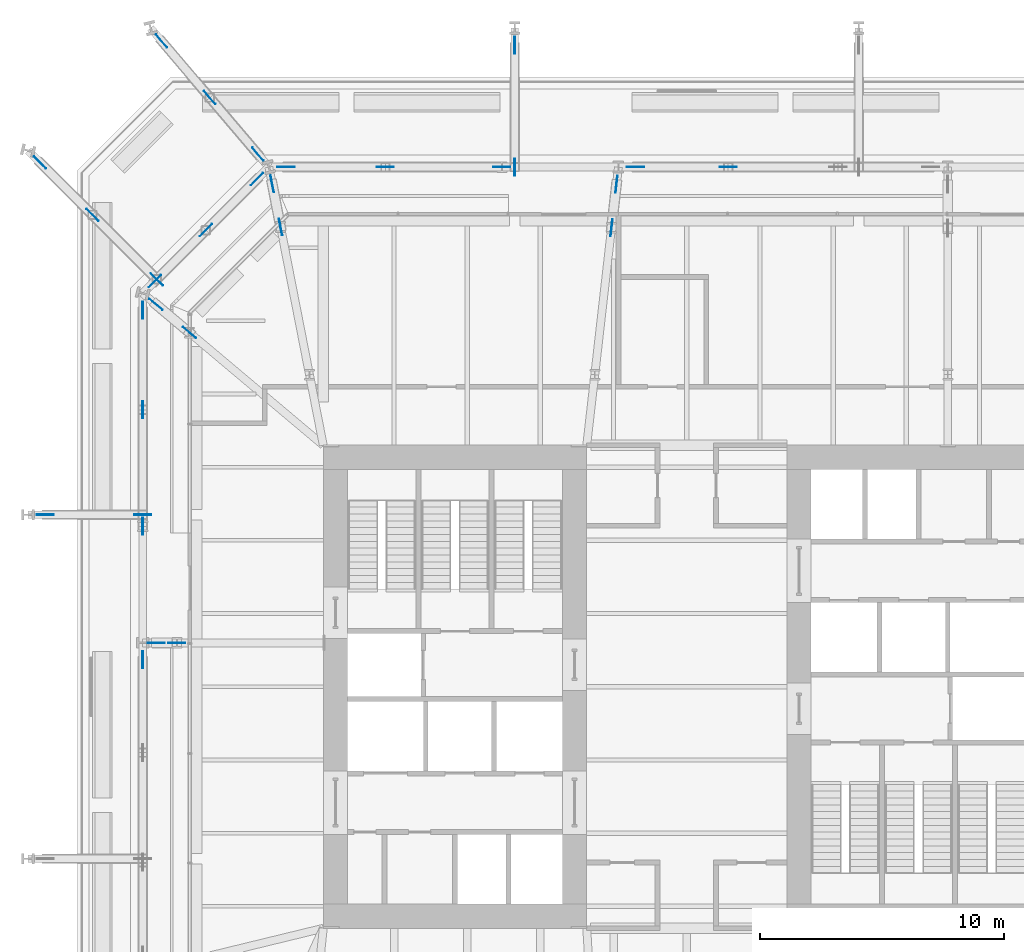
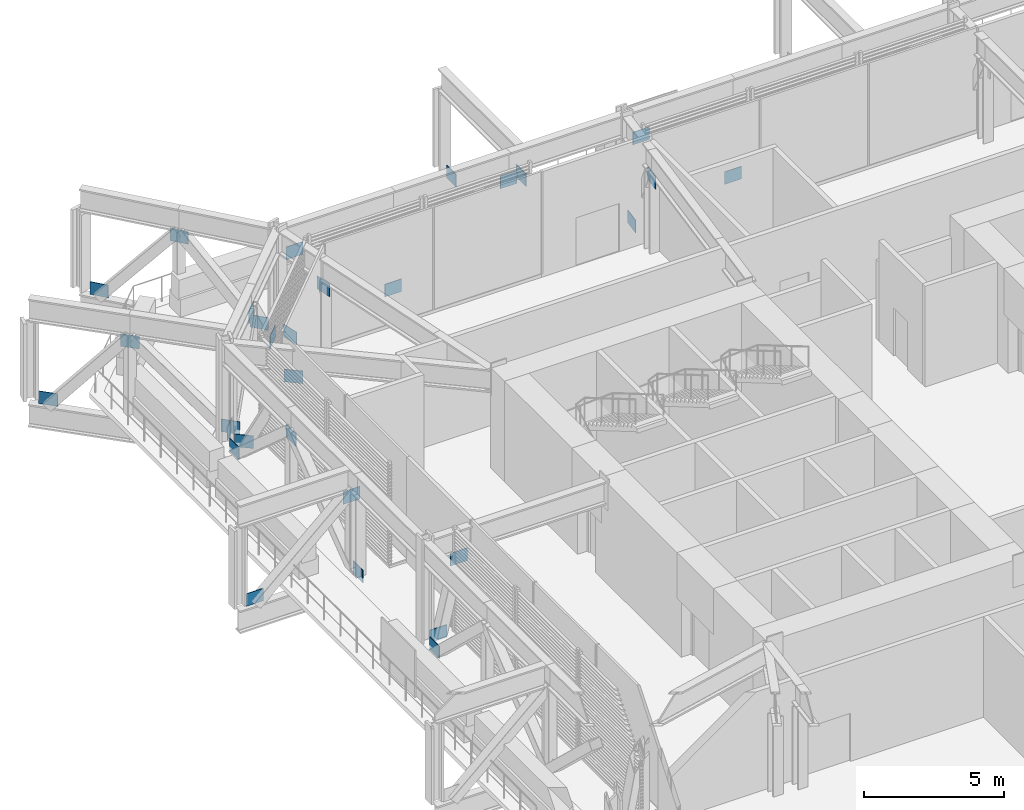
# One storey, part 25 of 29: 30 discrete accessories.
"""IFC4 building model written with IfcOpenShell, lengths in metres."""

from ifc_helpers import new_model, si_unit, direction, frame, origin, origin_2d, place, context, subcontext, project, spatial, rectangle, extrude, material, layer, layer_set, type_object, element, save


model = new_model("IFC4")

# Units and contexts
model_context = context("Model", 3, precision=1e-05, world=origin(), true_north=direction((0.0, 1.0)))
body_context = subcontext(model_context, "Body", "Model", "MODEL_VIEW")
ifc_project = project(units=[si_unit("LENGTHUNIT", "METRE"), si_unit("AREAUNIT", "SQUARE_METRE"), si_unit("VOLUMEUNIT", "CUBIC_METRE"), si_unit("PLANEANGLEUNIT", "RADIAN"), si_unit("MASSUNIT", "GRAM", prefix="KILO")], contexts=[model_context])

# Site, building, storey
site_placement = place(None, origin())
site = spatial("IfcSite", under=ifc_project, at=site_placement, CompositionType="ELEMENT")
building_placement = place(site_placement, origin())
building = spatial("IfcBuilding", under=site, at=building_placement, Name="Millrace Tower", CompositionType="ELEMENT")
storey_placement = place(building_placement, frame((0.0, 0.0, 68.60009765625)))
storey = spatial("IfcBuildingStorey", under=building, at=storey_placement, Name="L15", CompositionType="ELEMENT", Elevation=68.60009765625)

# Discrete accessories
ifc_material = material(Name="Steel ASTM A572 Grade 50", Category="steel")
ifc_layer = layer(ifc_material, 0.02490234375)
ifc_layer_set = layer_set([ifc_layer], Name="Steel ASTM A572 Grade 50")
discrete_accessory_type = type_object("IfcDiscreteAccessoryType", Name="Truss gusset plate 700x550x25", PredefinedType="BRACKET", material=ifc_layer_set)
for number, where, z_axis, x_axis, name in (
    (1, (1.35009765625, 21.300048828125, 0.074951171875), (1.0, 0.0, 0.0), (0.0, 1.0, 0.0), "Truss gusset plate TRS-L15-R11-D02 foot"),
    (2, (-2.449951171875, 21.300048828125, 3.1318359375), (1.0, 0.0, 0.0), (0.0, 1.0, 0.0), "Truss gusset plate TRS-L15-R11-D03 head"),
):
    element("IfcDiscreteAccessory", number, at=place(storey_placement, frame(where, z_axis=z_axis, x_axis=x_axis)), inside=storey, type_object=discrete_accessory_type, Name=name, PredefinedType="BRACKET", context=body_context, shape_type="SweptSolid", body=[
        extrude(rectangle(XDim=0.02490234375, YDim=0.550048828125, at=origin_2d()), origin(), (0.0, 0.0, 1.0), 0.699951171875),
    ])
discrete_accessory_1_placement = place(storey_placement, frame((-12.702392578125, 21.300048828125, 0.074951171875), z_axis=(1.0, 0.0, 0.0), x_axis=(0.0, 1.0, 0.0)))
element("IfcDiscreteAccessory", 3, at=discrete_accessory_1_placement, inside=storey, type_object=discrete_accessory_type, Name="Truss gusset plate TRS-L15-R12-D02 foot", PredefinedType="BRACKET", context=body_context, shape_type="SweptSolid", body=[
    extrude(rectangle(XDim=0.02490234375, YDim=0.550048828125, at=origin_2d()), origin(), (0.0, 0.0, 1.0), 0.7001953125),
])
for number, where, z_axis, x_axis, name in (
    (4, (-7.926025390625, 21.300048828125, 3.1318359375), (1.0, 0.0, 0.0), (0.0, 1.0, 0.0), "Truss gusset plate TRS-L15-R12-D02 head"),
    (5, (-16.7783203125, 21.300048828125, 3.1318359375), (1.0, 0.0, 0.0), (0.0, 1.0, 0.0), "Truss gusset plate TRS-L15-R12-D03 head"),
    (6, (-17.870849609375, 20.5576171875, 0.074951171875), (0.707106781187, 0.707106781187, 0.0), (-0.707106781187, 0.707106781187, 0.0), "Truss gusset plate TRS-L15-R13-D01 foot"),
    (7, (-19.961669921875, 18.466796875, 3.1318359375), (0.707106781187, 0.707106781187, 0.0), (-0.707106781187, 0.707106781187, 0.0), "Truss gusset plate TRS-L15-R13-D01 head"),
    (8, (-22.052490234375, 16.3759765625, 0.074951171875), (0.707106781187, 0.707106781187, 0.0), (-0.707106781187, 0.707106781187, 0.0), "Truss gusset plate TRS-L15-R13-D02 foot"),
    (9, (-22.300048828125, 15.078369140625, 0.074951171875), (0.0, 1.0, 0.0), (-1.0, 0.0, 0.0), "Truss gusset plate TRS-L15-R14-D01 foot"),
):
    element("IfcDiscreteAccessory", number, at=place(storey_placement, frame(where, z_axis=z_axis, x_axis=x_axis)), inside=storey, type_object=discrete_accessory_type, Name=name, PredefinedType="BRACKET", context=body_context, shape_type="SweptSolid", body=[
        extrude(rectangle(XDim=0.02490234375, YDim=0.550048828125, at=origin_2d()), origin(), (0.0, 0.0, 1.0), 0.699951171875),
    ])
discrete_accessory_2_placement = place(storey_placement, frame((-22.300048828125, 11.002197265625, 3.1318359375), z_axis=(0.0, 1.0, 0.0), x_axis=(-1.0, 0.0, 0.0)))
element("IfcDiscreteAccessory", 10, at=discrete_accessory_2_placement, inside=storey, type_object=discrete_accessory_type, Name="Truss gusset plate TRS-L15-R14-D01 head", PredefinedType="BRACKET", context=body_context, shape_type="SweptSolid", body=[
    extrude(rectangle(XDim=0.02490234375, YDim=0.550048828125, at=origin_2d()), origin(), (0.0, 0.0, 1.0), 0.7001953125),
])
for number, where, z_axis, x_axis, name in (
    (11, (-22.300048828125, 6.22607421875, 0.074951171875), (0.0, 1.0, 0.0), (-1.0, 0.0, 0.0), "Truss gusset plate TRS-L15-R14-D02 foot"),
    (12, (-22.300048828125, 0.75, 0.074951171875), (0.0, 1.0, 0.0), (-1.0, 0.0, 0.0), "Truss gusset plate TRS-L15-R15-D01 foot"),
    (13, (-2.9189453125, 20.2568359375, 0.074951171875), (0.113340043286, 0.993556256378, 0.0), (-0.993556256378, 0.113340043286, 0.0), "Truss gusset plate TRS-L15-C12-D01 foot"),
):
    element("IfcDiscreteAccessory", number, at=place(storey_placement, frame(where, z_axis=z_axis, x_axis=x_axis)), inside=storey, type_object=discrete_accessory_type, Name=name, PredefinedType="BRACKET", context=body_context, shape_type="SweptSolid", body=[
        extrude(rectangle(XDim=0.02490234375, YDim=0.550048828125, at=origin_2d()), origin(), (0.0, 0.0, 1.0), 0.699951171875),
    ])
discrete_accessory_3_placement = place(storey_placement, frame((-3.122802734375, 18.468505859375, 3.1318359375), z_axis=(0.113034932822, 0.993591014433, 0.0), x_axis=(-0.993591014433, 0.113034932822, 0.0)))
element("IfcDiscreteAccessory", 14, at=discrete_accessory_3_placement, inside=storey, type_object=discrete_accessory_type, Name="Truss gusset plate TRS-L15-C12-D01 head", PredefinedType="BRACKET", context=body_context, shape_type="SweptSolid", body=[
    extrude(rectangle(XDim=0.02490234375, YDim=0.550048828125, at=origin_2d()), origin(), (0.0, 0.0, 1.0), 0.69970703125),
])
for number, where, z_axis, x_axis, name in (
    (15, (-17.061279296875, 20.95654296875, 0.074951171875), (0.191821741574, -0.981429783255, 0.0), (0.981429783255, 0.191821741574, 0.0), "Truss gusset plate TRS-L15-C13-D01 foot"),
    (16, (-16.716064453125, 19.18994140625, 3.1318359375), (0.191821741574, -0.981429783255, 0.0), (0.981429783255, 0.191821741574, 0.0), "Truss gusset plate TRS-L15-C13-D01 head"),
    (17, (-22.0322265625, 15.903076171875, 0.074951171875), (0.765182451911, -0.643813494179, 0.0), (0.643813494179, 0.765182451911, 0.0), "Truss gusset plate TRS-L15-C14-D01 foot"),
    (18, (-20.655029296875, 14.743896484375, 3.1318359375), (0.765182451911, -0.643813494179, 0.0), (0.643813494179, 0.765182451911, 0.0), "Truss gusset plate TRS-L15-C14-D01 head"),
):
    element("IfcDiscreteAccessory", number, at=place(storey_placement, frame(where, z_axis=z_axis, x_axis=x_axis)), inside=storey, type_object=discrete_accessory_type, Name=name, PredefinedType="BRACKET", context=body_context, shape_type="SweptSolid", body=[
        extrude(rectangle(XDim=0.02490234375, YDim=0.550048828125, at=origin_2d()), origin(), (0.0, 0.0, 1.0), 0.699951171875),
    ])
discrete_accessory_4_placement = place(storey_placement, frame((-22.090087890625, 1.800048828125, 0.074951171875), z_axis=(1.0, 0.0, 0.0), x_axis=(0.0, 1.0, 0.0)))
element("IfcDiscreteAccessory", 19, at=discrete_accessory_4_placement, inside=storey, type_object=discrete_accessory_type, Name="Truss gusset plate TRS-L15-C15-D01 foot", PredefinedType="BRACKET", context=body_context, shape_type="SweptSolid", body=[
    extrude(rectangle(XDim=0.02490234375, YDim=0.550048828125, at=origin_2d()), origin(), (0.0, 0.0, 1.0), 0.7001953125),
])
for number, where, z_axis, x_axis, name in (
    (20, (-21.25, 1.800048828125, 3.1318359375), (1.0, 0.0, 0.0), (0.0, 1.0, 0.0), "Truss gusset plate TRS-L15-C15-D01 head"),
    (21, (-7.050048828125, 25.949951171875, 0.074951171875), (0.0, 1.0, 0.0), (-1.0, 0.0, 0.0), "Truss gusset plate TRS-L15-B-A-X12-D01 foot"),
    (22, (-7.050048828125, 20.949951171875, 3.1318359375), (0.0, 1.0, 0.0), (-1.0, 0.0, 0.0), "Truss gusset plate TRS-L15-B-A-X12-D01 head"),
    (23, (-21.751708984375, 26.7333984375, 0.074951171875), (0.647972306715, -0.761663895514, 0.0), (0.761663895514, 0.647972306715, 0.0), "Truss gusset plate TRS-L15-B-A-X13-D01 foot"),
    (24, (-19.7802734375, 24.41650390625, 3.1318359375), (0.647972306715, -0.761663895514, 0.0), (0.761663895514, 0.647972306715, 0.0), "Truss gusset plate TRS-L15-B-A-X13-D01 head"),
    (25, (-17.808837890625, 22.099609375, 0.074951171875), (0.648144455577, -0.761517409325, 0.0), (0.761517409325, 0.648144455577, 0.0), "Truss gusset plate TRS-L15-B-A-X13-D02 foot"),
    (26, (-26.75244140625, 21.73095703125, 0.074951171875), (0.707106781187, -0.707106781187, 0.0), (0.707106781187, 0.707106781187, 0.0), "Truss gusset plate TRS-L15-B-A-X14-D01 foot"),
    (27, (-24.610107421875, 19.58837890625, 3.1318359375), (0.707281138664, -0.706932380706, 0.0), (0.706932380706, 0.707281138664, 0.0), "Truss gusset plate TRS-L15-B-A-X14-D01 head"),
    (28, (-21.972412109375, 16.950927734375, 0.074951171875), (0.706932380706, -0.707281138664, 0.0), (0.707281138664, 0.706932380706, 0.0), "Truss gusset plate TRS-L15-B-A-X14-D02 foot"),
    (29, (-26.64990234375, 7.050048828125, 0.074951171875), (1.0, 0.0, 0.0), (0.0, 1.0, 0.0), "Truss gusset plate TRS-L15-B-A-X15-D01 foot"),
    (30, (-22.64990234375, 7.050048828125, 3.1318359375), (1.0, 0.0, 0.0), (0.0, 1.0, 0.0), "Truss gusset plate TRS-L15-B-A-X15-D01 head"),
):
    element("IfcDiscreteAccessory", number, at=place(storey_placement, frame(where, z_axis=z_axis, x_axis=x_axis)), inside=storey, type_object=discrete_accessory_type, Name=name, PredefinedType="BRACKET", context=body_context, shape_type="SweptSolid", body=[
        extrude(rectangle(XDim=0.02490234375, YDim=0.550048828125, at=origin_2d()), origin(), (0.0, 0.0, 1.0), 0.699951171875),
    ])

save(model, "model.ifc")
